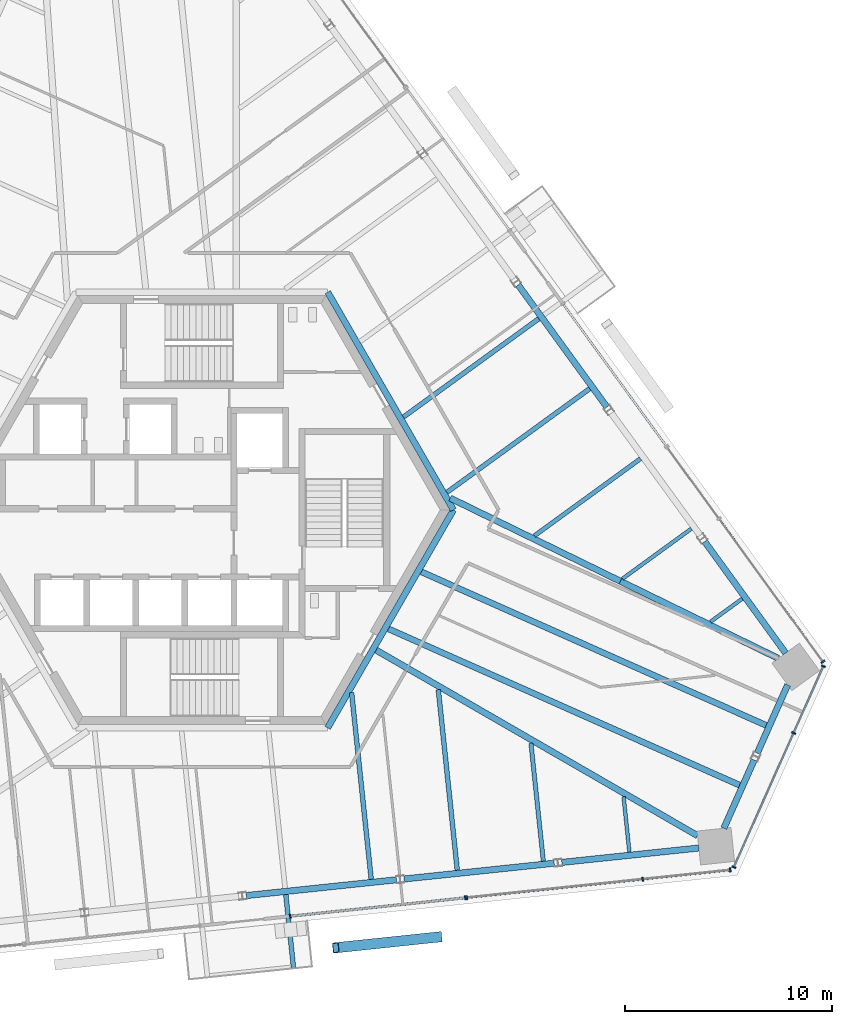
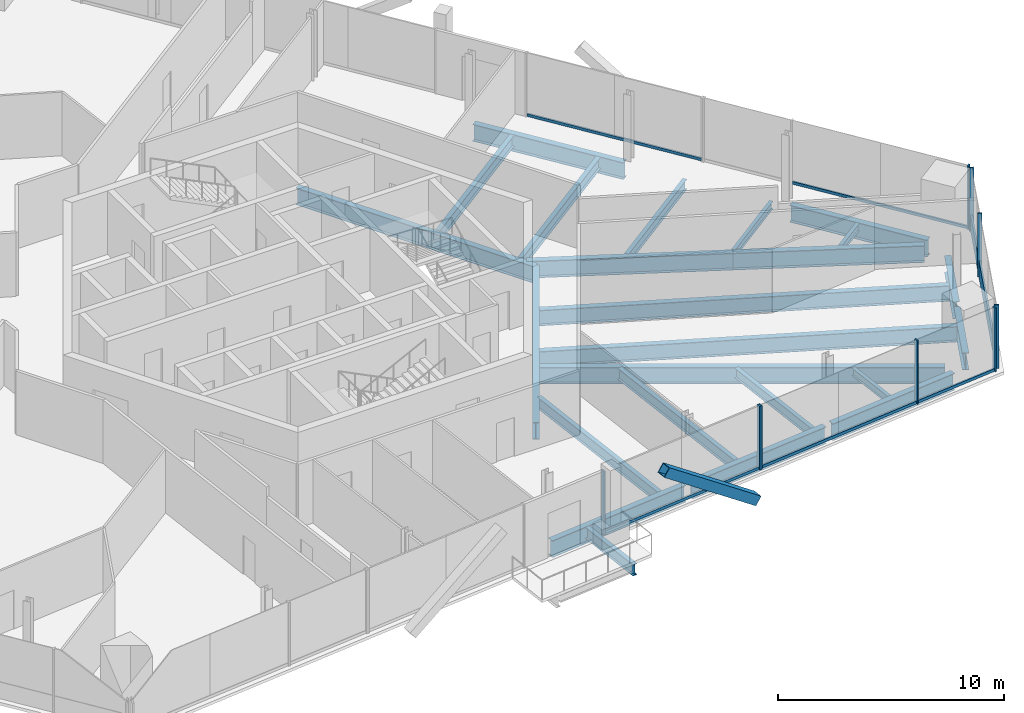
# One storey, part 6 of 18: 24 beams, 17 members, 5 elements without a shape of their own.
"""IFC4 building model written with IfcOpenShell, lengths in metres."""

from ifc_helpers import new_model, si_unit, direction, frame, origin, origin_2d, place, context, subcontext, project, spatial, rectangle, hollow_rectangle, i_section, extrude, source, transform, mapped, material, material_profile, profile_set, type_object, element, aggregate, save


model = new_model("IFC4")

# Units and contexts
model_context = context("Model", 3, precision=1e-05, world=origin(), true_north=direction((0.0, 1.0)))
body_context = subcontext(model_context, "Body", "Model", "MODEL_VIEW")
ifc_project = project(units=[si_unit("LENGTHUNIT", "METRE"), si_unit("AREAUNIT", "SQUARE_METRE"), si_unit("VOLUMEUNIT", "CUBIC_METRE"), si_unit("PLANEANGLEUNIT", "RADIAN"), si_unit("MASSUNIT", "GRAM", prefix="KILO")], contexts=[model_context])

# Site, building, storey
site_placement = place(None, origin())
site = spatial("IfcSite", under=ifc_project, at=site_placement, CompositionType="ELEMENT")
building_placement = place(site_placement, origin())
building = spatial("IfcBuilding", under=site, at=building_placement, Name="Triune Harvest Tower", CompositionType="ELEMENT")
storey_placement = place(building_placement, frame((0.0, 0.0, 230.5)))
storey = spatial("IfcBuildingStorey", under=building, at=storey_placement, Name="L60", CompositionType="ELEMENT", Elevation=230.5)

# Beams
ifc_material_1 = material(Name="Steel ASTM A992 Gr 50", Category="steel")
ifc_material_profile_1 = material_profile(ifc_material_1, i_section(OverallWidth=0.3046875, OverallDepth=0.914306640625, WebThickness=0.0166015625, FlangeThickness=0.02587890625, at=origin_2d()), Name="W36x160")
ifc_profile_set_1 = profile_set([ifc_material_profile_1], Name="Steel ASTM A992 Gr 50")
beam_type_1 = type_object("IfcBeamType", Name="CG-1 Core ring girder W36x160", PredefinedType="BEAM", material=ifc_profile_set_1)
shared_shape_1 = source(origin(), body_context, "Body", "SweptSolid", [
    extrude(i_section(OverallWidth=0.3046875, OverallDepth=0.914306640625, WebThickness=0.0166015625, FlangeThickness=0.02587890625, at=origin_2d()), origin(), (0.0, 0.0, 1.0), 12.176025390625),
])
for number, where, z_axis, x_axis, name in (
    (1, (12.176025390625, 0.0, -0.6171875), (-0.5000099932, 0.866019634131, 0.0), (-0.866019634131, -0.5000099932, 0.0), "beam/L60/CG1"),
    (2, (6.087890625, -10.544677734375, -0.6171875), (0.5000099932, 0.866019634131, 0.0), (-0.866019634131, 0.5000099932, 0.0), "beam/L60/CG6"),
):
    element("IfcBeam", number, at=place(storey_placement, frame(where, z_axis=z_axis, x_axis=x_axis)), inside=storey, type_object=beam_type_1, Name=name, PredefinedType="BEAM", context=body_context, shape_type="MappedRepresentation", body=[
        mapped(shared_shape_1, transform((0.0, 0.0, 0.0), scale=1.0)),
    ])
ifc_material_2 = material(Name="Steel ASTM A992 Gr 50", Category="steel")
ifc_material_profile_2 = material_profile(ifc_material_2, i_section(OverallWidth=0.3046875, OverallDepth=0.914306640625, WebThickness=0.0166015625, FlangeThickness=0.02587890625, at=origin_2d()), Name="W36x160")
ifc_profile_set_2 = profile_set([ifc_material_profile_2], Name="Steel ASTM A992 Gr 50")
beam_type_2 = type_object("IfcBeamType", Name="HG-3 Hip girder W36x160", PredefinedType="BEAM", material=ifc_profile_set_2)
shared_shape_2 = source(origin(), body_context, "Body", "SweptSolid", [
    extrude(i_section(OverallWidth=0.3046875, OverallDepth=0.914306640625, WebThickness=0.0166015625, FlangeThickness=0.02587890625, at=origin_2d()), origin(), (0.0, 0.0, 1.0), 9.168212890625),
])
beam_1_placement = place(storey_placement, frame((20.2587890625, -3.451171875, -0.6171875), z_axis=(-0.898521846145, 0.438928800605, 0.0), x_axis=(-0.438928800605, -0.898521846145, 0.0)))
element("IfcBeam", 3, at=beam_1_placement, inside=storey, type_object=beam_type_2, Name="beam/L60/HG2", PredefinedType="BEAM", context=body_context, shape_type="MappedRepresentation", body=[
    mapped(shared_shape_2, transform((0.0, 0.0, 0.0), scale=1.0)),
])
ifc_material_3 = material(Name="Steel ASTM A992 Gr 50", Category="steel")
ifc_material_profile_3 = material_profile(ifc_material_3, i_section(OverallWidth=0.3046875, OverallDepth=0.914306640625, WebThickness=0.0166015625, FlangeThickness=0.02587890625, at=origin_2d()), Name="W36x160")
ifc_profile_set_3 = profile_set([ifc_material_profile_3], Name="Steel ASTM A992 Gr 50")
beam_type_3 = type_object("IfcBeamType", Name="SB-1 Spandrel beam W36x160", PredefinedType="SPANDREL", material=ifc_profile_set_3)
shared_shape_3 = source(origin(), body_context, "Body", "SweptSolid", [
    extrude(i_section(OverallWidth=0.3046875, OverallDepth=0.914306640625, WebThickness=0.0166015625, FlangeThickness=0.02587890625, at=origin_2d()), origin(), (0.0, 0.0, 1.0), 6.67041015625),
])
for number, where, z_axis, x_axis, name in (
    (4, (28.256591796875, -6.927734375, -0.6171875), (-0.587797324645, 0.80900822316, 0.0), (-0.80900822316, -0.587797324645, 0.0), "beam/L60/SB1"),
    (5, (17.421630859375, -17.060302734375, -0.6171875), (0.994521485501, 0.104532362822, 0.0), (-0.104532362822, 0.994521485501, 0.0), "beam/L60/SB22"),
):
    element("IfcBeam", number, at=place(storey_placement, frame(where, z_axis=z_axis, x_axis=x_axis)), inside=storey, type_object=beam_type_3, Name=name, PredefinedType="SPANDREL", context=body_context, shape_type="MappedRepresentation", body=[
        mapped(shared_shape_3, transform((0.0, 0.0, 0.0), scale=1.0)),
    ])
shared_shape_4 = source(origin(), body_context, "Body", "SweptSolid", [
    extrude(i_section(OverallWidth=0.3046875, OverallDepth=0.914306640625, WebThickness=0.0166015625, FlangeThickness=0.02587890625, at=origin_2d()), origin(), (0.0, 0.0, 1.0), 7.31103515625),
])
for number, where, z_axis, x_axis, name in (
    (6, (19.60546875, 4.9794921875, -0.6171875), (-0.587786436325, 0.809016134124, 0.0), (-0.809016134124, -0.587786436325, 0.0), "beam/L60/SB3"),
    (7, (9.784423828125, -17.863037109375, -0.6171875), (0.994522639393, 0.104521384101, 0.0), (-0.104521384101, 0.994522639393, 0.0), "beam/L60/SB21"),
):
    element("IfcBeam", number, at=place(storey_placement, frame(where, z_axis=z_axis, x_axis=x_axis)), inside=storey, type_object=beam_type_3, Name=name, PredefinedType="SPANDREL", context=body_context, shape_type="MappedRepresentation", body=[
        mapped(shared_shape_4, transform((0.0, 0.0, 0.0), scale=1.0)),
    ])
shared_shape_5 = source(origin(), body_context, "Body", "SweptSolid", [
    extrude(i_section(OverallWidth=0.3046875, OverallDepth=0.914306640625, WebThickness=0.0166015625, FlangeThickness=0.02587890625, at=origin_2d()), origin(), (0.0, 0.0, 1.0), 3.614990234375),
])
beam_2_placement = place(storey_placement, frame((26.883544921875, -11.767822265625, -0.6171875), z_axis=(0.406758712736, 0.913535631277, 0.0), x_axis=(-0.913535631277, 0.406758712736, 0.0)))
element("IfcBeam", 8, at=beam_2_placement, inside=storey, type_object=beam_type_3, Name="beam/L60/SB24", PredefinedType="SPANDREL", context=body_context, shape_type="MappedRepresentation", body=[
    mapped(shared_shape_5, transform((0.0, 0.0, 0.0), scale=1.0)),
])
shared_shape_6 = source(origin(), body_context, "Body", "SweptSolid", [
    extrude(i_section(OverallWidth=0.3046875, OverallDepth=0.914306640625, WebThickness=0.0166015625, FlangeThickness=0.02587890625, at=origin_2d()), origin(), (0.0, 0.0, 1.0), 7.311279296875),
])
beam_3_placement = place(storey_placement, frame((2.14697265625, -18.665771484375, -0.6171875), z_axis=(0.994523004189, 0.104517913008, 0.0), x_axis=(-0.104517913008, 0.994523004189, 0.0)))
element("IfcBeam", 9, at=beam_3_placement, inside=storey, type_object=beam_type_3, Name="beam/L60/SB20", PredefinedType="SPANDREL", context=body_context, shape_type="MappedRepresentation", body=[
    mapped(shared_shape_6, transform((0.0, 0.0, 0.0), scale=1.0)),
])
shared_shape_7 = source(origin(), body_context, "Body", "SweptSolid", [
    extrude(i_section(OverallWidth=0.3046875, OverallDepth=0.914306640625, WebThickness=0.0166015625, FlangeThickness=0.02587890625, at=origin_2d()), origin(), (0.0, 0.0, 1.0), 3.61474609375),
])
beam_4_placement = place(storey_placement, frame((25.263427734375, -15.406494140625, -0.6171875), z_axis=(0.406783809082, 0.913524456525, 0.0), x_axis=(-0.913524456525, 0.406783809082, 0.0)))
element("IfcBeam", 10, at=beam_4_placement, inside=storey, type_object=beam_type_3, Name="beam/L60/SB23", PredefinedType="SPANDREL", context=body_context, shape_type="MappedRepresentation", body=[
    mapped(shared_shape_7, transform((0.0, 0.0, 0.0), scale=1.0)),
])
shared_shape_8 = source(origin(), body_context, "Body", "SweptSolid", [
    extrude(i_section(OverallWidth=0.3046875, OverallDepth=0.914306640625, WebThickness=0.0166015625, FlangeThickness=0.02587890625, at=origin_2d()), origin(), (0.0, 0.0, 1.0), 8.506591796875),
])
beam_5_placement = place(storey_placement, frame((27.902099609375, -7.18505859375, -0.6171875), z_axis=(-0.898516187924, 0.43894038324, 0.0), x_axis=(-0.43894038324, -0.898516187924, 0.0)))
element("IfcBeam", 11, at=beam_5_placement, inside=storey, type_object=beam_type_2, Name="beam/L60/HG1", PredefinedType="BEAM", context=body_context, shape_type="MappedRepresentation", body=[
    mapped(shared_shape_8, transform((0.0, 0.0, 0.0), scale=1.0)),
])
shared_shape_9 = source(origin(), body_context, "Body", "SweptSolid", [
    extrude(i_section(OverallWidth=0.3046875, OverallDepth=0.914306640625, WebThickness=0.0166015625, FlangeThickness=0.02587890625, at=origin_2d()), origin(), (0.0, 0.0, 1.0), 17.96484375),
])
beam_6_placement = place(storey_placement, frame((23.992919921875, -15.766845703125, -0.6171875), z_axis=(-0.866026717539, 0.499997724503, 0.0), x_axis=(-0.499997724503, -0.866026717539, 0.0)))
element("IfcBeam", 12, at=beam_6_placement, inside=storey, type_object=beam_type_2, Name="beam/L60/HG10", PredefinedType="BEAM", context=body_context, shape_type="MappedRepresentation", body=[
    mapped(shared_shape_9, transform((0.0, 0.0, 0.0), scale=1.0)),
])
ifc_material_4 = material(Name="Steel ASTM A992 Gr 50", Category="steel")
ifc_material_profile_4 = material_profile(ifc_material_4, i_section(OverallWidth=0.180908203125, OverallDepth=0.41650390625, WebThickness=0.010986328125, FlangeThickness=0.01806640625, at=origin_2d()), Name="W16x57")
ifc_profile_set_4 = profile_set([ifc_material_profile_4], Name="Steel ASTM A992 Gr 50")
beam_type_4 = type_object("IfcBeamType", Name="JT-1 Floor joist W16x57", PredefinedType="JOIST", material=ifc_profile_set_4)
shared_shape_10 = source(origin(), body_context, "Body", "SweptSolid", [
    extrude(i_section(OverallWidth=0.180908203125, OverallDepth=0.41650390625, WebThickness=0.010986328125, FlangeThickness=0.01806640625, at=origin_2d()), origin(), (0.0, 0.0, 1.0), 1.89892578125),
])
beam_7_placement = place(storey_placement, frame((26.156005859375, -4.2958984375, -0.368408203125), z_axis=(-0.808980650343, -0.587835272309, 0.0), x_axis=(0.587835272309, -0.808980650343, 0.0)))
element("IfcBeam", 13, at=beam_7_placement, inside=storey, type_object=beam_type_4, Name="beam/L60/JT1", PredefinedType="JOIST", context=body_context, shape_type="MappedRepresentation", body=[
    mapped(shared_shape_10, transform((0.0, 0.0, 0.0), scale=1.0)),
])
shared_shape_11 = source(origin(), body_context, "Body", "SweptSolid", [
    extrude(i_section(OverallWidth=0.180908203125, OverallDepth=0.41650390625, WebThickness=0.010986328125, FlangeThickness=0.01806640625, at=origin_2d()), origin(), (0.0, 0.0, 1.0), 4.122802734375),
])
beam_8_placement = place(storey_placement, frame((23.69384765625, -0.906982421875, -0.368408203125), z_axis=(-0.809017670691, -0.587784321423, 0.0), x_axis=(0.587784321423, -0.809017670691, 0.0)))
element("IfcBeam", 14, at=beam_8_placement, inside=storey, type_object=beam_type_4, Name="beam/L60/JT2", PredefinedType="JOIST", context=body_context, shape_type="MappedRepresentation", body=[
    mapped(shared_shape_11, transform((0.0, 0.0, 0.0), scale=1.0)),
])
ifc_material_5 = material(Name="Steel ASTM A992 Gr 50", Category="steel")
ifc_material_profile_5 = material_profile(ifc_material_5, i_section(OverallWidth=0.2099609375, OverallDepth=0.535888671875, WebThickness=0.010986328125, FlangeThickness=0.017333984375, at=origin_2d()), Name="W21x68")
ifc_profile_set_5 = profile_set([ifc_material_profile_5], Name="Steel ASTM A992 Gr 50")
beam_type_5 = type_object("IfcBeamType", Name="JT-2 Floor joist W21x68", PredefinedType="JOIST", material=ifc_profile_set_5)
shared_shape_12 = source(origin(), body_context, "Body", "SweptSolid", [
    extrude(i_section(OverallWidth=0.2099609375, OverallDepth=0.535888671875, WebThickness=0.010986328125, FlangeThickness=0.017333984375, at=origin_2d()), origin(), (0.0, 0.0, 1.0), 6.346435546875),
])
beam_9_placement = place(storey_placement, frame((21.231689453125, 2.481689453125, -0.427978515625), z_axis=(-0.809002165091, -0.58780566251, 0.0), x_axis=(0.58780566251, -0.809002165091, 0.0)))
element("IfcBeam", 15, at=beam_9_placement, inside=storey, type_object=beam_type_5, Name="beam/L60/JT3", PredefinedType="JOIST", context=body_context, shape_type="MappedRepresentation", body=[
    mapped(shared_shape_12, transform((0.0, 0.0, 0.0), scale=1.0)),
])
ifc_material_6 = material(Name="Steel ASTM A992 Gr 50", Category="steel")
ifc_material_profile_6 = material_profile(ifc_material_6, i_section(OverallWidth=0.22900390625, OverallDepth=0.612060546875, WebThickness=0.011962890625, FlangeThickness=0.01953125, at=origin_2d()), Name="W24x84")
ifc_profile_set_6 = profile_set([ifc_material_profile_6], Name="Steel ASTM A992 Gr 50")
beam_type_6 = type_object("IfcBeamType", Name="JT-3 Floor joist W24x84", PredefinedType="JOIST", material=ifc_profile_set_6)
shared_shape_13 = source(origin(), body_context, "Body", "SweptSolid", [
    extrude(i_section(OverallWidth=0.22900390625, OverallDepth=0.612060546875, WebThickness=0.011962890625, FlangeThickness=0.01953125, at=origin_2d()), origin(), (0.0, 0.0, 1.0), 8.540283203125),
])
beam_10_placement = place(storey_placement, frame((18.769775390625, 5.87060546875, -0.466064453125), z_axis=(-0.809019081634, -0.587782379416, 0.0), x_axis=(0.587782379416, -0.809019081634, 0.0)))
element("IfcBeam", 16, at=beam_10_placement, inside=storey, type_object=beam_type_6, Name="beam/L60/JT4", PredefinedType="JOIST", context=body_context, shape_type="MappedRepresentation", body=[
    mapped(shared_shape_13, transform((0.0, 0.0, 0.0), scale=1.0)),
])
shared_shape_14 = source(origin(), body_context, "Body", "SweptSolid", [
    extrude(i_section(OverallWidth=0.22900390625, OverallDepth=0.612060546875, WebThickness=0.011962890625, FlangeThickness=0.01953125, at=origin_2d()), origin(), (0.0, 0.0, 1.0), 8.099609375),
])
beam_11_placement = place(storey_placement, frame((16.3076171875, 9.25927734375, -0.466064453125), z_axis=(-0.809022748574, -0.587777332235, 0.0), x_axis=(0.587777332235, -0.809022748574, 0.0)))
element("IfcBeam", 17, at=beam_11_placement, inside=storey, type_object=beam_type_6, Name="beam/L60/JT5", PredefinedType="JOIST", context=body_context, shape_type="MappedRepresentation", body=[
    mapped(shared_shape_14, transform((0.0, 0.0, 0.0), scale=1.0)),
])
shared_shape_15 = source(origin(), body_context, "Body", "SweptSolid", [
    extrude(i_section(OverallWidth=0.22900390625, OverallDepth=0.612060546875, WebThickness=0.011962890625, FlangeThickness=0.01953125, at=origin_2d()), origin(), (0.0, 0.0, 1.0), 9.084716796875),
])
beam_12_placement = place(storey_placement, frame((8.19677734375, -17.876708984375, -0.466064453125), z_axis=(-0.104539296445, 0.994520756696, 0.0), x_axis=(-0.994520756696, -0.104539296445, 0.0)))
element("IfcBeam", 18, at=beam_12_placement, inside=storey, type_object=beam_type_6, Name="beam/L60/JT31", PredefinedType="JOIST", context=body_context, shape_type="MappedRepresentation", body=[
    mapped(shared_shape_15, transform((0.0, 0.0, 0.0), scale=1.0)),
])
shared_shape_16 = source(origin(), body_context, "Body", "SweptSolid", [
    extrude(i_section(OverallWidth=0.2099609375, OverallDepth=0.535888671875, WebThickness=0.010986328125, FlangeThickness=0.017333984375, at=origin_2d()), origin(), (0.0, 0.0, 1.0), 5.745849609375),
])
beam_13_placement = place(storey_placement, frame((16.5283203125, -17.0009765625, -0.427978515625), z_axis=(-0.104525532782, 0.99452220337, 0.0), x_axis=(-0.99452220337, -0.104525532782, 0.0)))
element("IfcBeam", 19, at=beam_13_placement, inside=storey, type_object=beam_type_5, Name="beam/L60/JT33", PredefinedType="JOIST", context=body_context, shape_type="MappedRepresentation", body=[
    mapped(shared_shape_16, transform((0.0, 0.0, 0.0), scale=1.0)),
])
shared_shape_17 = source(origin(), body_context, "Body", "SweptSolid", [
    extrude(i_section(OverallWidth=0.180908203125, OverallDepth=0.41650390625, WebThickness=0.010986328125, FlangeThickness=0.01806640625, at=origin_2d()), origin(), (0.0, 0.0, 1.0), 2.70263671875),
])
beam_14_placement = place(storey_placement, frame((20.694091796875, -16.56298828125, -0.368408203125), z_axis=(-0.104520196043, 0.994522764254, 0.0), x_axis=(-0.994522764254, -0.104520196043, 0.0)))
element("IfcBeam", 20, at=beam_14_placement, inside=storey, type_object=beam_type_4, Name="beam/L60/JT34", PredefinedType="JOIST", context=body_context, shape_type="MappedRepresentation", body=[
    mapped(shared_shape_17, transform((0.0, 0.0, 0.0), scale=1.0)),
])
ifc_material_7 = material(Name="Steel ASTM A992 Gr 50", Category="steel")
ifc_material_profile_7 = material_profile(ifc_material_7, i_section(OverallWidth=0.2919921875, OverallDepth=0.8408203125, WebThickness=0.0146484375, FlangeThickness=0.021728515625, at=origin_2d()), Name="W33x130")
ifc_profile_set_7 = profile_set([ifc_material_profile_7], Name="Steel ASTM A992 Gr 50")
beam_type_7 = type_object("IfcBeamType", Name="JT-6 Floor joist W33x130", PredefinedType="JOIST", material=ifc_profile_set_7)
shared_shape_18 = source(origin(), body_context, "Body", "SweptSolid", [
    extrude(i_section(OverallWidth=0.2919921875, OverallDepth=0.8408203125, WebThickness=0.0146484375, FlangeThickness=0.021728515625, at=origin_2d()), origin(), (0.0, 0.0, 1.0), 18.60400390625),
])
beam_15_placement = place(storey_placement, frame((26.025390625, -13.32080078125, -0.580322265625), z_axis=(-0.913546187597, 0.406735003568, 0.0), x_axis=(-0.406735003568, -0.913546187597, 0.0)))
element("IfcBeam", 21, at=beam_15_placement, inside=storey, type_object=beam_type_7, Name="beam/L60/JT35", PredefinedType="JOIST", context=body_context, shape_type="MappedRepresentation", body=[
    mapped(shared_shape_18, transform((0.0, 0.0, 0.0), scale=1.0)),
])
shared_shape_19 = source(origin(), body_context, "Body", "SweptSolid", [
    extrude(i_section(OverallWidth=0.22900390625, OverallDepth=0.612060546875, WebThickness=0.011962890625, FlangeThickness=0.01953125, at=origin_2d()), origin(), (0.0, 0.0, 1.0), 8.7890625),
])
beam_16_placement = place(storey_placement, frame((12.362548828125, -17.438720703125, -0.466064453125), z_axis=(-0.104527173764, 0.9945220309, 0.0), x_axis=(-0.9945220309, -0.104527173764, 0.0)))
element("IfcBeam", 22, at=beam_16_placement, inside=storey, type_object=beam_type_6, Name="beam/L60/JT32", PredefinedType="JOIST", context=body_context, shape_type="MappedRepresentation", body=[
    mapped(shared_shape_19, transform((0.0, 0.0, 0.0), scale=1.0)),
])
shared_shape_20 = source(origin(), body_context, "Body", "SweptSolid", [
    extrude(i_section(OverallWidth=0.2919921875, OverallDepth=0.8408203125, WebThickness=0.0146484375, FlangeThickness=0.021728515625, at=origin_2d()), origin(), (0.0, 0.0, 1.0), 18.270751953125),
])
beam_17_placement = place(storey_placement, frame((27.313720703125, -10.427001953125, -0.580322265625), z_axis=(-0.913545207047, 0.406737205922, 0.0), x_axis=(-0.406737205922, -0.913545207047, 0.0)))
element("IfcBeam", 23, at=beam_17_placement, inside=storey, type_object=beam_type_7, Name="beam/L60/JT36", PredefinedType="JOIST", context=body_context, shape_type="MappedRepresentation", body=[
    mapped(shared_shape_20, transform((0.0, 0.0, 0.0), scale=1.0)),
])

# Member
ifc_material_8 = material(Name="Steel ASTM A572 Gr 50", Category="steel")
ifc_material_profile_8 = material_profile(ifc_material_8, hollow_rectangle(XDim=0.5, YDim=0.5, WallThickness=0.030029296875, at=origin_2d()), Name="Box 500x500x30")
ifc_profile_set_8 = profile_set([ifc_material_profile_8], Name="Steel ASTM A572 Gr 50")
member_type_1 = type_object("IfcMemberType", Name="BR-3 Brace Box 500x500x30", PredefinedType="BRACE", material=ifc_profile_set_8)
shared_shape_21 = source(origin(), body_context, "Body", "SweptSolid", [
    extrude(hollow_rectangle(XDim=0.5, YDim=0.5, WallThickness=0.030029296875, at=origin_2d()), origin(), (0.0, 0.0, 1.0), 6.1708984375),
])
member_1_placement = place(storey_placement, frame((11.46484375, -20.668212890625, 0.0), z_axis=(-0.807731140993, -0.084903557434, 0.583405339199), x_axis=(0.104537710696, -0.994520923381, 0.0)))
element("IfcMember", 24, at=member_1_placement, inside=storey, type_object=member_type_1, Name="brace/B6-F5/d2/4", PredefinedType="BRACE", context=body_context, shape_type="MappedRepresentation", body=[
    mapped(shared_shape_21, transform((0.0, 0.0, 0.0), scale=1.0)),
])

# Curtain wall, members
ifc_material_9 = material(Name="Aluminium bronze anodised", Category="aluminium")
curtain_wall_type_1 = type_object("IfcCurtainWallType", Name="CW-1 Tower stick curtain wall", PredefinedType="NOTDEFINED", material=ifc_material_9)
curtain_wall_1_placement = place(storey_placement, origin())
curtain_wall_1 = element("IfcCurtainWall", 25, at=curtain_wall_1_placement, inside=storey, type_object=curtain_wall_type_1, Name="CW-1 B6-F6 L60 run 1")
ifc_material_10 = material(Name="Aluminium bronze anodised", Category="aluminium")
ifc_material_profile_9 = material_profile(ifc_material_10, rectangle(XDim=0.199951171875, YDim=0.074951171875, at=origin_2d()), Name="MU-1 mullion 75 x 200")
ifc_profile_set_9 = profile_set([ifc_material_profile_9], Name="Aluminium bronze anodised")
member_type_2 = type_object("IfcMemberType", Name="MU-1 mullion 75 x 200", PredefinedType="MULLION", material=ifc_profile_set_9)
shared_shape_22 = source(origin(), body_context, "Body", "SweptSolid", [
    extrude(rectangle(XDim=0.199951171875, YDim=0.074951171875, at=origin_2d()), origin(), (0.0, 0.0, 1.0), 3.43994140625),
])
member_2_placement = place(storey_placement, frame((25.7529296875, -17.2958984375, 0.0), z_axis=(0.0, 0.0, 1.0), x_axis=(-0.913542531121, 0.406743216086, 0.0)))
member_2 = element("IfcMember", 26, at=member_2_placement, type_object=member_type_2, Name="CW-1 mullion B6-F6 1.1", PredefinedType="MULLION", context=body_context, shape_type="MappedRepresentation", body=[
    mapped(shared_shape_22, transform((0.0, 0.0, 0.0), scale=1.0)),
])
member_3_placement = place(storey_placement, frame((28.646240234375, -10.797119140625, 0.0), z_axis=(0.0, 0.0, 1.0), x_axis=(-0.913542531121, 0.406743216086, 0.0)))
member_3 = element("IfcMember", 27, at=member_3_placement, type_object=member_type_2, Name="CW-1 mullion B6-F6 1.3", PredefinedType="MULLION", context=body_context, shape_type="MappedRepresentation", body=[
    mapped(shared_shape_22, transform((0.0, 0.0, 0.0), scale=1.0)),
])
member_4_placement = place(storey_placement, frame((30.08544921875, -7.56494140625, 0.0), z_axis=(0.0, 0.0, 1.0), x_axis=(-0.913542531121, 0.406743216086, 0.0)))
member_4 = element("IfcMember", 28, at=member_4_placement, type_object=member_type_2, Name="CW-1 mullion B6-F6 1.4", PredefinedType="MULLION", context=body_context, shape_type="MappedRepresentation", body=[
    mapped(shared_shape_22, transform((0.0, 0.0, 0.0), scale=1.0)),
])

# Curtain wall, member
ifc_material_11 = material(Name="Aluminium bronze anodised", Category="aluminium")
curtain_wall_type_2 = type_object("IfcCurtainWallType", Name="CW-6 Balcony window wall", PredefinedType="NOTDEFINED", material=ifc_material_11)
curtain_wall_2_placement = place(storey_placement, origin())
curtain_wall_2 = element("IfcCurtainWall", 29, at=curtain_wall_2_placement, inside=storey, type_object=curtain_wall_type_2, Name="CW-6 B6-F1 L60 run 1")
ifc_material_12 = material(Name="Aluminium bronze anodised", Category="aluminium")
ifc_material_profile_10 = material_profile(ifc_material_12, rectangle(XDim=0.199951171875, YDim=0.074951171875, at=origin_2d()), Name="MU-6 mullion 75 x 200")
ifc_profile_set_10 = profile_set([ifc_material_profile_10], Name="Aluminium bronze anodised")
member_type_3 = type_object("IfcMemberType", Name="MU-6 mullion 75 x 200", PredefinedType="MULLION", material=ifc_profile_set_10)
shared_shape_23 = source(origin(), body_context, "Body", "SweptSolid", [
    extrude(rectangle(XDim=0.199951171875, YDim=0.074951171875, at=origin_2d()), origin(), (0.0, 0.0, 1.0), 3.43994140625),
])
member_5_placement = place(storey_placement, frame((30.062255859375, -7.34521484375, 0.0), z_axis=(0.0, 0.0, 1.0), x_axis=(-0.809016058557, -0.587786540333, 0.0)))
member_5 = element("IfcMember", 30, at=member_5_placement, type_object=member_type_3, Name="CW-6 mullion B6-F1 1.1", PredefinedType="MULLION", context=body_context, shape_type="MappedRepresentation", body=[
    mapped(shared_shape_23, transform((0.0, 0.0, 0.0), scale=1.0)),
])

# Curtain wall, members
ifc_material_13 = material(Name="Aluminium bronze anodised", Category="aluminium")
curtain_wall_type_3 = type_object("IfcCurtainWallType", Name="CW-10 Balcony window wall with insulated spandrel infill", PredefinedType="NOTDEFINED", material=ifc_material_13)
curtain_wall_3_placement = place(storey_placement, origin())
curtain_wall_3 = element("IfcCurtainWall", 31, at=curtain_wall_3_placement, inside=storey, type_object=curtain_wall_type_3, Name="CW-10 B6-F5 L60 run 2")
member_6_placement = place(storey_placement, frame((4.274658203125, -19.664306640625, 0.0), z_axis=(0.0, 0.0, 1.0), x_axis=(-0.104533844946, 0.994521329716, 0.0)))
member_6 = element("IfcMember", 32, at=member_6_placement, type_object=member_type_3, Name="CW-10 mullion B6-F5 2.1", PredefinedType="MULLION", context=body_context, shape_type="MappedRepresentation", body=[
    mapped(shared_shape_23, transform((0.0, 0.0, 0.0), scale=1.0)),
])
member_7_placement = place(storey_placement, frame((12.749755859375, -18.7734375, 0.0), z_axis=(0.0, 0.0, 1.0), x_axis=(-0.104533844946, 0.994521329716, 0.0)))
member_7 = element("IfcMember", 33, at=member_7_placement, type_object=member_type_3, Name="CW-10 mullion B6-F5 2.3", PredefinedType="MULLION", context=body_context, shape_type="MappedRepresentation", body=[
    mapped(shared_shape_23, transform((0.0, 0.0, 0.0), scale=1.0)),
])

curtain_wall_4_placement = place(storey_placement, origin())
curtain_wall_4 = element("IfcCurtainWall", 34, at=curtain_wall_4_placement, inside=storey, type_object=curtain_wall_type_2, Name="CW-6 B6-F5 L60 run 1002")
member_8_placement = place(storey_placement, frame((12.82421875, -18.765625, 0.0), z_axis=(0.0, 0.0, 1.0), x_axis=(-0.104527219, 0.994522026145, 0.0)))
member_8 = element("IfcMember", 35, at=member_8_placement, type_object=member_type_3, Name="CW-6 mullion B6-F5 1002.1", PredefinedType="MULLION", context=body_context, shape_type="MappedRepresentation", body=[
    mapped(shared_shape_23, transform((0.0, 0.0, 0.0), scale=1.0)),
])
member_9_placement = place(storey_placement, frame((21.336669921875, -17.87109375, 0.0), z_axis=(0.0, 0.0, 1.0), x_axis=(-0.104527219, 0.994522026145, 0.0)))
member_9 = element("IfcMember", 36, at=member_9_placement, type_object=member_type_3, Name="CW-6 mullion B6-F5 1002.3", PredefinedType="MULLION", context=body_context, shape_type="MappedRepresentation", body=[
    mapped(shared_shape_23, transform((0.0, 0.0, 0.0), scale=1.0)),
])
member_10_placement = place(storey_placement, frame((25.57421875, -17.425537109375, 0.0), z_axis=(0.0, 0.0, 1.0), x_axis=(-0.104527219, 0.994522026145, 0.0)))
member_10 = element("IfcMember", 37, at=member_10_placement, type_object=member_type_3, Name="CW-6 mullion B6-F5 1002.4", PredefinedType="MULLION", context=body_context, shape_type="MappedRepresentation", body=[
    mapped(shared_shape_23, transform((0.0, 0.0, 0.0), scale=1.0)),
])

# Beam
ifc_material_14 = material(Name="Steel ASTM A992 Gr 50", Category="steel")
ifc_material_profile_11 = material_profile(ifc_material_14, i_section(OverallWidth=0.22900390625, OverallDepth=0.612060546875, WebThickness=0.011962890625, FlangeThickness=0.01953125, at=origin_2d()), Name="W24x84")
ifc_profile_set_11 = profile_set([ifc_material_profile_11], Name="Steel ASTM A992 Gr 50")
beam_type_8 = type_object("IfcBeamType", Name="BJ-3 Balcony cantilever joist W24x84", PredefinedType="JOIST", material=ifc_profile_set_11)
shared_shape_24 = source(origin(), body_context, "Body", "SweptSolid", [
    extrude(i_section(OverallWidth=0.22900390625, OverallDepth=0.612060546875, WebThickness=0.011962890625, FlangeThickness=0.01953125, at=origin_2d()), origin(), (0.0, 0.0, 1.0), 3.59765625),
])
beam_18_placement = place(storey_placement, frame((4.062744140625, -18.61767578125, -0.466064453125), z_axis=(0.104508154604, -0.994524029685, 0.0), x_axis=(0.994524029685, 0.104508154604, 0.0)))
element("IfcBeam", 38, at=beam_18_placement, inside=storey, type_object=beam_type_8, Name="Balcony cantilever joist B6-F5 L60.6a", PredefinedType="JOIST", context=body_context, shape_type="MappedRepresentation", body=[
    mapped(shared_shape_24, transform((0.0, 0.0, 0.0), scale=1.0)),
])

# Member
ifc_material_15 = material(Name="Aluminium bronze anodised", Category="aluminium")
ifc_material_profile_12 = material_profile(ifc_material_15, rectangle(XDim=0.090087890625, YDim=0.89990234375, at=origin_2d()), Name="TR-1 transom 90 x 900")
ifc_profile_set_12 = profile_set([ifc_material_profile_12], Name="Aluminium bronze anodised")
member_type_4 = type_object("IfcMemberType", Name="TR-1 transom 90 x 900", PredefinedType="USERDEFINED", material=ifc_profile_set_12)
shared_shape_25 = source(origin(), body_context, "Body", "SweptSolid", [
    extrude(rectangle(XDim=0.090087890625, YDim=0.89990234375, at=origin_2d()), origin(), (0.0, 0.0, 1.0), 7.038818359375),
])
member_11_placement = place(storey_placement, frame((25.76806640625, -17.261474609375, 0.449951171875), z_axis=(0.406753052694, 0.913538151433, 0.0), x_axis=(-0.913538151433, 0.406753052694, 0.0)))
member_11 = element("IfcMember", 39, at=member_11_placement, type_object=member_type_4, Name="CW-1 transom B6-F6 1.1", ObjectType="TRANSOM", PredefinedType="USERDEFINED", context=body_context, shape_type="MappedRepresentation", body=[
    mapped(shared_shape_25, transform((0.0, 0.0, 0.0), scale=1.0)),
])

shared_shape_26 = source(origin(), body_context, "Body", "SweptSolid", [
    extrude(rectangle(XDim=0.090087890625, YDim=0.89990234375, at=origin_2d()), origin(), (0.0, 0.0, 1.0), 3.463134765625),
])
member_12_placement = place(storey_placement, frame((28.66162109375, -10.762939453125, 0.449951171875), z_axis=(0.406694368517, 0.913564278317, 0.0), x_axis=(-0.913564278317, 0.406694368517, 0.0)))
member_12 = element("IfcMember", 40, at=member_12_placement, type_object=member_type_4, Name="CW-1 transom B6-F6 1.2", ObjectType="TRANSOM", PredefinedType="USERDEFINED", context=body_context, shape_type="MappedRepresentation", body=[
    mapped(shared_shape_26, transform((0.0, 0.0, 0.0), scale=1.0)),
])

aggregate(curtain_wall_1, [member_2, member_3, member_4, member_11, member_12])

ifc_material_16 = material(Name="Aluminium bronze anodised", Category="aluminium")
ifc_material_profile_13 = material_profile(ifc_material_16, rectangle(XDim=0.090087890625, YDim=0.14990234375, at=origin_2d()), Name="TR-6 transom 90 x 150")
ifc_profile_set_13 = profile_set([ifc_material_profile_13], Name="Aluminium bronze anodised")
member_type_5 = type_object("IfcMemberType", Name="TR-6 transom 90 x 150", PredefinedType="USERDEFINED", material=ifc_profile_set_13)
shared_shape_27 = source(origin(), body_context, "Body", "SweptSolid", [
    extrude(rectangle(XDim=0.090087890625, YDim=0.14990234375, at=origin_2d()), origin(), (0.0, 0.0, 1.0), 8.484375),
])
member_13_placement = place(storey_placement, frame((30.040283203125, -7.31494140625, 0.074951171875), z_axis=(-0.587771255322, 0.809027163584, 0.0), x_axis=(-0.809027163584, -0.587771255322, 0.0)))
member_13 = element("IfcMember", 41, at=member_13_placement, type_object=member_type_5, Name="CW-6 transom B6-F1 1.1", ObjectType="TRANSOM", PredefinedType="USERDEFINED", context=body_context, shape_type="MappedRepresentation", body=[
    mapped(shared_shape_27, transform((0.0, 0.0, 0.0), scale=1.0)),
])

aggregate(curtain_wall_2, [member_5, member_13])

# Curtain wall, member
curtain_wall_5_placement = place(storey_placement, origin())
curtain_wall_5 = element("IfcCurtainWall", 42, at=curtain_wall_5_placement, inside=storey, type_object=curtain_wall_type_3, Name="CW-10 B6-F1 L60 run 1001")
shared_shape_28 = source(origin(), body_context, "Body", "SweptSolid", [
    extrude(rectangle(XDim=0.090087890625, YDim=0.14990234375, at=origin_2d()), origin(), (0.0, 0.0, 1.0), 8.44677734375),
])
member_14_placement = place(storey_placement, frame((22.460693359375, 3.117431640625, 0.074951171875), z_axis=(-0.587772920005, 0.809025954163, 0.0), x_axis=(-0.809025954163, -0.587772920005, 0.0)))
member_14 = element("IfcMember", 43, at=member_14_placement, type_object=member_type_5, Name="CW-10 transom B6-F1 1001.1", ObjectType="TRANSOM", PredefinedType="USERDEFINED", context=body_context, shape_type="MappedRepresentation", body=[
    mapped(shared_shape_28, transform((0.0, 0.0, 0.0), scale=1.0)),
])
aggregate(curtain_wall_5, [member_14])

# Member
member_15_placement = place(storey_placement, frame((4.31201171875, -19.660400390625, 0.074951171875), z_axis=(0.994520172111, 0.104544857665, 0.0), x_axis=(-0.104544857665, 0.994520172111, 0.0)))
member_15 = element("IfcMember", 44, at=member_15_placement, type_object=member_type_5, Name="CW-10 transom B6-F5 2.1", ObjectType="TRANSOM", PredefinedType="USERDEFINED", context=body_context, shape_type="MappedRepresentation", body=[
    mapped(shared_shape_28, transform((0.0, 0.0, 0.0), scale=1.0)),
])

aggregate(curtain_wall_3, [member_6, member_7, member_15])

shared_shape_29 = source(origin(), body_context, "Body", "SweptSolid", [
    extrude(rectangle(XDim=0.090087890625, YDim=0.14990234375, at=origin_2d()), origin(), (0.0, 0.0, 1.0), 4.185791015625),
])
member_16_placement = place(storey_placement, frame((21.3740234375, -17.8671875, 0.074951171875), z_axis=(0.994516633052, 0.104578518742, 0.0), x_axis=(-0.104578518742, 0.994516633052, 0.0)))
member_16 = element("IfcMember", 45, at=member_16_placement, type_object=member_type_5, Name="CW-6 transom B6-F5 1002.2", ObjectType="TRANSOM", PredefinedType="USERDEFINED", context=body_context, shape_type="MappedRepresentation", body=[
    mapped(shared_shape_29, transform((0.0, 0.0, 0.0), scale=1.0)),
])

shared_shape_30 = source(origin(), body_context, "Body", "SweptSolid", [
    extrude(rectangle(XDim=0.090087890625, YDim=0.14990234375, at=origin_2d()), origin(), (0.0, 0.0, 1.0), 8.484130859375),
])
member_17_placement = place(storey_placement, frame((12.861572265625, -18.76171875, 0.074951171875), z_axis=(0.994523413335, 0.104514019769, 0.0), x_axis=(-0.104514019769, 0.994523413335, 0.0)))
member_17 = element("IfcMember", 46, at=member_17_placement, type_object=member_type_5, Name="CW-6 transom B6-F5 1002.1", ObjectType="TRANSOM", PredefinedType="USERDEFINED", context=body_context, shape_type="MappedRepresentation", body=[
    mapped(shared_shape_30, transform((0.0, 0.0, 0.0), scale=1.0)),
])

aggregate(curtain_wall_4, [member_8, member_9, member_10, member_17, member_16])

save(model, "model.ifc")
